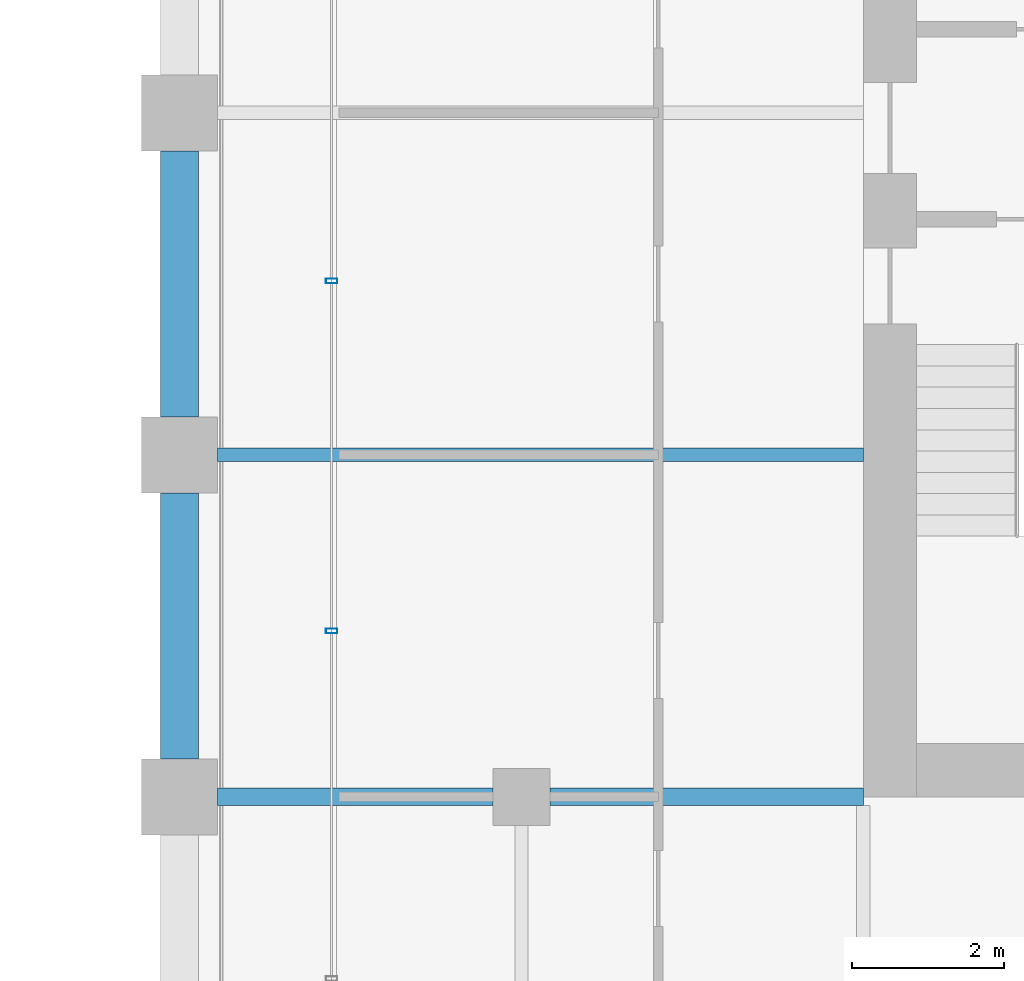
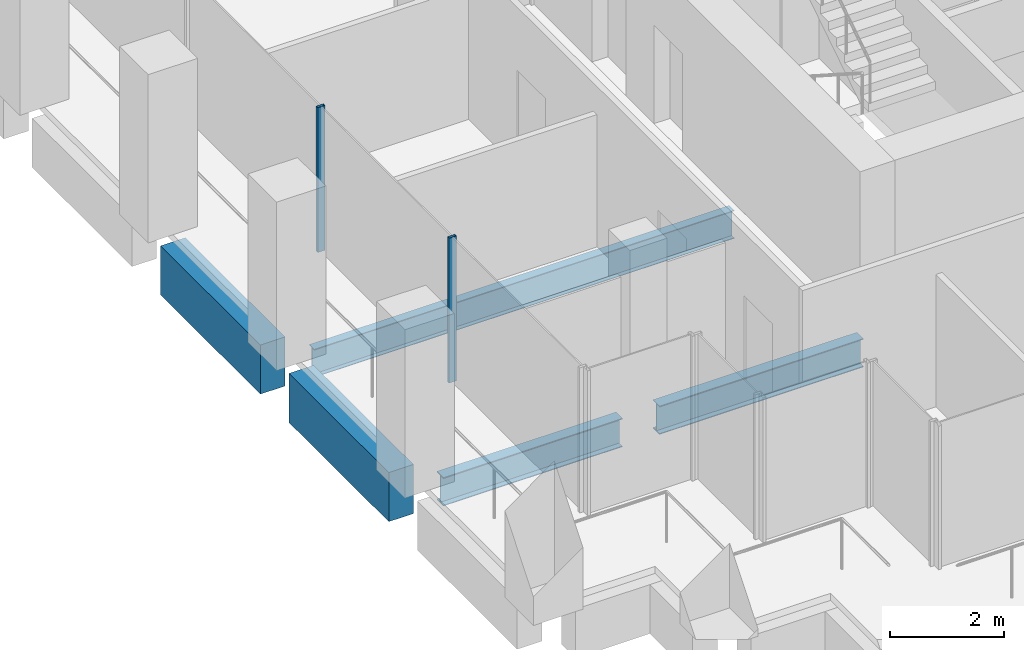
# One storey, part 30 of 47: 5 beams, 2 members, 1 element without a shape of its own.
"""IFC4 building model written with IfcOpenShell, lengths in metres."""

from ifc_helpers import new_model, si_unit, direction, frame, origin, origin_2d, place, context, subcontext, project, spatial, rectangle, hollow_rectangle, i_section, extrude, material, material_profile, profile_set, type_object, element, aggregate, save


model = new_model("IFC4")

# Units and contexts
model_context = context("Model", 3, precision=1e-05, world=origin(), true_north=direction((0.0, 1.0)))
body_context = subcontext(model_context, "Body", "Model", "MODEL_VIEW")
ifc_project = project(units=[si_unit("LENGTHUNIT", "METRE"), si_unit("AREAUNIT", "SQUARE_METRE"), si_unit("VOLUMEUNIT", "CUBIC_METRE"), si_unit("PLANEANGLEUNIT", "RADIAN"), si_unit("MASSUNIT", "GRAM", prefix="KILO")], contexts=[model_context])

# Site, building, storey
site_placement = place(None, origin())
site = spatial("IfcSite", under=ifc_project, at=site_placement, CompositionType="ELEMENT")
building_placement = place(site_placement, origin())
building = spatial("IfcBuilding", under=site, at=building_placement, Name="Altepetl Exchange Towers", CompositionType="ELEMENT")
storey_placement = place(building_placement, frame((0.0, 0.0, 95.60009765625)))
storey = spatial("IfcBuildingStorey", under=building, at=storey_placement, Name="L23", CompositionType="ELEMENT", Elevation=95.60009765625)

# Beams
ifc_material_1 = material(Name="Steel S355", Category="steel")
ifc_material_profile_1 = material_profile(ifc_material_1, i_section(OverallWidth=0.177978515625, OverallDepth=0.59912109375, WebThickness=0.010009765625, FlangeThickness=0.0126953125, at=origin_2d()), Name="W24X55")
ifc_profile_set_1 = profile_set([ifc_material_profile_1], Name="Steel S355")
beam_type_1 = type_object("IfcBeamType", Name="Floor beam W24X55", PredefinedType="BEAM", material=ifc_profile_set_1)
beam_1_placement = place(storey_placement, frame((95.0, 40.5, -0.44970703125), z_axis=(1.0, 0.0, 0.0), x_axis=(0.0, 1.0, 0.0)))
element("IfcBeam", 1, at=beam_1_placement, inside=storey, type_object=beam_type_1, Name="bm:B:L23:008", PredefinedType="BEAM", context=body_context, shape_type="SweptSolid", body=[
    extrude(i_section(OverallWidth=0.177978515625, OverallDepth=0.59912109375, WebThickness=0.010009765625, FlangeThickness=0.0126953125, at=origin_2d()), origin(), (0.0, 0.0, 1.0), 8.5),
])
ifc_material_profile_2 = material_profile(ifc_material_1, i_section(OverallWidth=0.22802734375, OverallDepth=0.60791015625, WebThickness=0.01123046875, FlangeThickness=0.017333984375, at=origin_2d()), Name="W24X76")
ifc_profile_set_2 = profile_set([ifc_material_profile_2], Name="Steel S355")
beam_type_2 = type_object("IfcBeamType", Name="Girder W24X76", PredefinedType="BEAM", material=ifc_profile_set_2)
beam_2_placement = place(storey_placement, frame((103.5, 36.0, -0.4541015625), z_axis=(-1.0, 0.0, 0.0), x_axis=(0.0, -1.0, 0.0)))
element("IfcBeam", 2, at=beam_2_placement, inside=storey, type_object=beam_type_2, Name="gd:B:L23:002", PredefinedType="BEAM", context=body_context, shape_type="SweptSolid", body=[
    extrude(i_section(OverallWidth=0.22802734375, OverallDepth=0.60791015625, WebThickness=0.01123046875, FlangeThickness=0.017333984375, at=origin_2d()), origin(), (0.0, 0.0, 1.0), 4.125),
])
beam_3_placement = place(storey_placement, frame((98.625, 36.0, -0.4541015625), z_axis=(-1.0, 0.0, 0.0), x_axis=(0.0, -1.0, 0.0)))
element("IfcBeam", 3, at=beam_3_placement, inside=storey, type_object=beam_type_2, Name="gd:B:L23:003", PredefinedType="BEAM", context=body_context, shape_type="SweptSolid", body=[
    extrude(i_section(OverallWidth=0.22802734375, OverallDepth=0.60791015625, WebThickness=0.01123046875, FlangeThickness=0.017333984375, at=origin_2d()), origin(), (0.0, 0.0, 1.0), 3.625),
])

# Curtain wall, members
ifc_material_2 = material(Name="Aluminium 6063-T6 glazing", Category="aluminium")
curtain_wall_type = type_object("IfcCurtainWallType", Name="Loggia glazing system", PredefinedType="NOTDEFINED", material=ifc_material_2)
curtain_wall_placement = place(storey_placement, origin())
curtain_wall = element("IfcCurtainWall", 4, at=curtain_wall_placement, inside=storey, type_object=curtain_wall_type, Name="CW1 run", PredefinedType="NOTDEFINED")
ifc_material_3 = material(Name="Aluminium 6063-T6", Category="aluminium")
ifc_material_profile_3 = material_profile(ifc_material_3, hollow_rectangle(XDim=0.06005859375, YDim=0.14990234375, WallThickness=0.0029296875, at=origin_2d()), Name="Mullion 60x150 aluminium")
ifc_profile_set_3 = profile_set([ifc_material_profile_3], Name="Aluminium 6063-T6")
member_type = type_object("IfcMemberType", Name="Mullion 60x150 aluminium", PredefinedType="MULLION", material=ifc_profile_set_3)
member_1_placement = place(storey_placement, frame((96.5, 42.78759765625, 0.0), z_axis=(0.0, 0.0, 1.0), x_axis=(0.0, -1.0, 0.0)))
member_1 = element("IfcMember", 5, at=member_1_placement, type_object=member_type, Name="MU1 mullion", PredefinedType="MULLION", context=body_context, shape_type="SweptSolid", body=[
    extrude(hollow_rectangle(XDim=0.06005859375, YDim=0.14990234375, WallThickness=0.0029296875, at=origin_2d()), origin(), (0.0, 0.0, 1.0), 3.099853515625),
])
member_2_placement = place(storey_placement, frame((96.5, 38.18115234375, 0.0), z_axis=(0.0, 0.0, 1.0), x_axis=(0.0, -1.0, 0.0)))
member_2 = element("IfcMember", 6, at=member_2_placement, type_object=member_type, Name="MU1 mullion", PredefinedType="MULLION", context=body_context, shape_type="SweptSolid", body=[
    extrude(hollow_rectangle(XDim=0.06005859375, YDim=0.14990234375, WallThickness=0.0029296875, at=origin_2d()), origin(), (0.0, 0.0, 1.0), 3.099853515625),
])
aggregate(curtain_wall, [member_1, member_2])

# Beams
ifc_material_4 = material(Name="Concrete C50/60 precast with cantera rosa facing", Category="concrete")
ifc_material_profile_4 = material_profile(ifc_material_4, rectangle(XDim=0.5, YDim=1.050048828125, at=origin_2d()), Name="500 x 1050")
ifc_profile_set_4 = profile_set([ifc_material_profile_4], Name="Concrete C50/60 precast with cantera rosa facing")
beam_type_3 = type_object("IfcBeamType", Name="Spandrel beam 500x1050 cantera rosa", PredefinedType="SPANDREL", material=ifc_profile_set_4)
for number, where, z_axis, x_axis, name in (
    (7, (94.5, 44.5, -0.675048828125), (0.0, -1.0, 0.0), (1.0, 0.0, 0.0), "sp:B:L23:024"),
    (8, (94.5, 40.0, -0.675048828125), (0.0, -1.0, 0.0), (1.0, 0.0, 0.0), "sp:B:L23:025"),
):
    element("IfcBeam", number, at=place(storey_placement, frame(where, z_axis=z_axis, x_axis=x_axis)), inside=storey, type_object=beam_type_3, Name=name, PredefinedType="SPANDREL", context=body_context, shape_type="SweptSolid", body=[
        extrude(rectangle(XDim=0.5, YDim=1.050048828125, at=origin_2d()), origin(), (0.0, 0.0, 1.0), 3.5),
    ])

save(model, "model.ifc")
